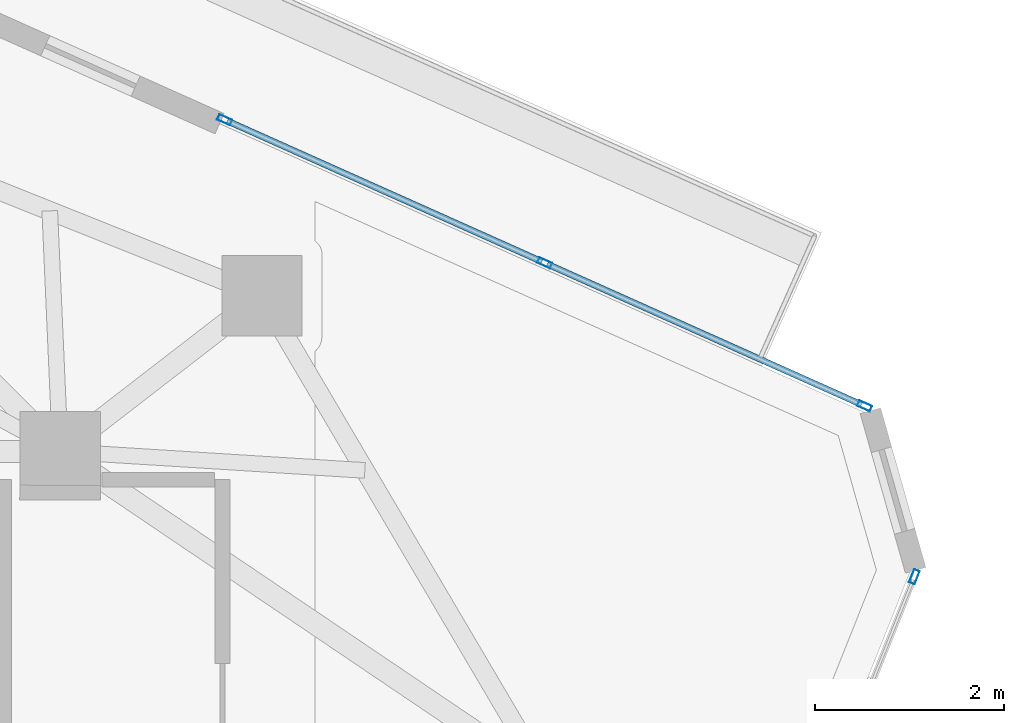
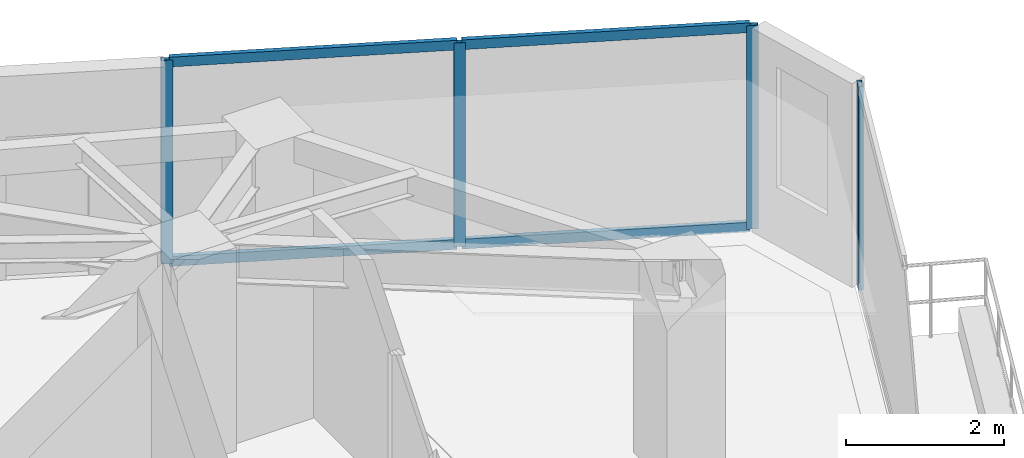
# One storey, part 14 of 21: 8 members, 2 elements without a shape of their own.
"""IFC4 building model written with IfcOpenShell, lengths in metres."""

from ifc_helpers import new_model, si_unit, direction, frame, origin, origin_2d, place, context, subcontext, project, spatial, hollow_rectangle, extrude, source, transform, mapped, material, layer, layer_set, material_profile, profile_set, type_object, type_shapes, element, aggregate, save


model = new_model("IFC4")

# Units and contexts
model_context = context("Model", 3, precision=1e-05, world=origin(), true_north=direction((0.0, 1.0)))
body_context = subcontext(model_context, "Body", "Model", "MODEL_VIEW")
ifc_project = project(units=[si_unit("LENGTHUNIT", "METRE"), si_unit("AREAUNIT", "SQUARE_METRE"), si_unit("VOLUMEUNIT", "CUBIC_METRE"), si_unit("PLANEANGLEUNIT", "RADIAN"), si_unit("MASSUNIT", "GRAM", prefix="KILO")], contexts=[model_context])

# Site, building, storey
site_placement = place(None, origin())
site = spatial("IfcSite", under=ifc_project, at=site_placement, CompositionType="ELEMENT")
building_placement = place(site_placement, origin())
building = spatial("IfcBuilding", under=site, at=building_placement, Name="Talar Marvaseh", CompositionType="ELEMENT")
storey_placement = place(building_placement, frame((0.0, 0.0, 271.39990234375)))
storey = spatial("IfcBuildingStorey", under=building, at=storey_placement, Name="L72", CompositionType="ELEMENT", Elevation=271.39990234375)

# Curtain wall, members
ifc_material = material(Name="Architectural Aluminium", Category="aluminium")
ifc_layer = layer(ifc_material, 0.179931640625)
ifc_layer_set = layer_set([ifc_layer], Name="Architectural Aluminium")
curtain_wall_type = type_object("IfcCurtainWallType", Name="Unitised High-Wind Sky Curtain Wall Z4", PredefinedType="NOTDEFINED", material=ifc_layer_set)
curtain_wall_1_placement = place(storey_placement, origin())
curtain_wall_1 = element("IfcCurtainWall", 1, at=curtain_wall_1_placement, inside=storey, type_object=curtain_wall_type, Name="L72 Unitised High-Wind Sky Curtain Wall Z4", PredefinedType="NOTDEFINED")
ifc_material_profile_1 = material_profile(ifc_material, hollow_rectangle(XDim=0.06494140625, YDim=0.14990234375, WallThickness=0.00390625, at=origin_2d()), Name="RHS150x65x4")
ifc_profile_set_1 = profile_set([ifc_material_profile_1], Name="Architectural Aluminium")
member_type_1 = type_object("IfcMemberType", Name="Unitised Curtain Wall Slim Mullion RHS150x65x4", PredefinedType="MULLION", material=ifc_profile_set_1)
shared_shape_1 = source(origin(), body_context, "Body", "SweptSolid", [
    extrude(hollow_rectangle(XDim=0.06494140625, YDim=0.14990234375, WallThickness=0.00390625, at=origin_2d()), origin(), (0.0, 0.0, 1.0), 3.14013671875),
])
type_shapes(member_type_1, [shared_shape_1])
member_1_placement = place(storey_placement, frame((35.04248046875, 40.417724609375, 0.0), z_axis=(0.0, 0.0, 1.0), x_axis=(0.408265471552, 0.912863245365, 0.0)))
member_1 = element("IfcMember", 2, at=member_1_placement, type_object=member_type_1, Name="CW-Z4 mullion 1", PredefinedType="MULLION", context=body_context, shape_type="MappedRepresentation", body=[
    mapped(shared_shape_1, transform((0.0, 0.0, 0.0), x_axis=(1.0, 0.0, 0.0), y_axis=(0.0, 1.0, 0.0), z_axis=(0.0, 0.0, 1.0), scale=1.0)),
])
member_2_placement = place(storey_placement, frame((38.435546875, 38.900146484375, 0.0), z_axis=(0.0, 0.0, 1.0), x_axis=(0.408265471552, 0.912863245365, 0.0)))
member_2 = element("IfcMember", 3, at=member_2_placement, type_object=member_type_1, Name="CW-Z4 mullion 2", PredefinedType="MULLION", context=body_context, shape_type="MappedRepresentation", body=[
    mapped(shared_shape_1, transform((0.0, 0.0, 0.0), x_axis=(1.0, 0.0, 0.0), y_axis=(0.0, 1.0, 0.0), z_axis=(0.0, 0.0, 1.0), scale=1.0)),
])
member_3_placement = place(storey_placement, frame((41.82861328125, 37.382568359375, 0.0), z_axis=(0.0, 0.0, 1.0), x_axis=(0.408265471552, 0.912863245365, 0.0)))
member_3 = element("IfcMember", 4, at=member_3_placement, type_object=member_type_1, Name="CW-Z4 mullion 3", PredefinedType="MULLION", context=body_context, shape_type="MappedRepresentation", body=[
    mapped(shared_shape_1, transform((0.0, 0.0, 0.0), x_axis=(1.0, 0.0, 0.0), y_axis=(0.0, 1.0, 0.0), z_axis=(0.0, 0.0, 1.0), scale=1.0)),
])

# Curtain wall, member
curtain_wall_2_placement = place(storey_placement, origin())
curtain_wall_2 = element("IfcCurtainWall", 5, at=curtain_wall_2_placement, inside=storey, type_object=curtain_wall_type, Name="L72 Unitised High-Wind Sky Curtain Wall Z4", PredefinedType="NOTDEFINED")
member_4_placement = place(storey_placement, frame((42.35693359375, 35.57080078125, 0.0), z_axis=(0.0, 0.0, 1.0), x_axis=(0.928753878354, -0.370696956344, 0.0)))
member_4 = element("IfcMember", 6, at=member_4_placement, type_object=member_type_1, Name="CW-Z4 mullion 1", PredefinedType="MULLION", context=body_context, shape_type="MappedRepresentation", body=[
    mapped(shared_shape_1, transform((0.0, 0.0, 0.0), x_axis=(1.0, 0.0, 0.0), y_axis=(0.0, 1.0, 0.0), z_axis=(0.0, 0.0, 1.0), scale=1.0)),
])
aggregate(curtain_wall_2, [member_4])

# Member
ifc_material_profile_2 = material_profile(ifc_material, hollow_rectangle(XDim=0.06494140625, YDim=0.14990234375, WallThickness=0.00390625, at=origin_2d()), Name="RHS150x65x4")
ifc_profile_set_2 = profile_set([ifc_material_profile_2], Name="Architectural Aluminium")
member_type_2 = type_object("IfcMemberType", Name="Unitised Curtain Wall Slim Transom RHS150x65x4", PredefinedType="USERDEFINED", material=ifc_profile_set_2)
shared_shape_2 = source(origin(), body_context, "Body", "SweptSolid", [
    extrude(hollow_rectangle(XDim=0.06494140625, YDim=0.14990234375, WallThickness=0.00390625, at=origin_2d()), origin(), (0.0, 0.0, 1.0), 3.652099609375),
])
member_5_placement = place(storey_placement, frame((35.072021484375, 40.404541015625, 0.03271484375), z_axis=(0.912874637651, -0.408239997959, 0.0), x_axis=(0.408239997959, 0.912874637651, 0.0)))
member_5 = element("IfcMember", 7, at=member_5_placement, type_object=member_type_2, Name="CW-Z4 transom 1.1", ObjectType="TRANSOM", PredefinedType="USERDEFINED", context=body_context, shape_type="MappedRepresentation", body=[
    mapped(shared_shape_2, transform((0.0, 0.0, 0.0), x_axis=(1.0, 0.0, 0.0), y_axis=(0.0, 1.0, 0.0), z_axis=(0.0, 0.0, 1.0), scale=1.0)),
])

member_6_placement = place(storey_placement, frame((35.072021484375, 40.404541015625, 3.107666015625), z_axis=(0.912874637651, -0.408239997959, 0.0), x_axis=(0.408239997959, 0.912874637651, 0.0)))
member_6 = element("IfcMember", 8, at=member_6_placement, type_object=member_type_2, Name="CW-Z4 transom 1.2", ObjectType="TRANSOM", PredefinedType="USERDEFINED", context=body_context, shape_type="MappedRepresentation", body=[
    mapped(shared_shape_2, transform((0.0, 0.0, 0.0), x_axis=(1.0, 0.0, 0.0), y_axis=(0.0, 1.0, 0.0), z_axis=(0.0, 0.0, 1.0), scale=1.0)),
])

shared_shape_3 = source(origin(), body_context, "Body", "SweptSolid", [
    extrude(hollow_rectangle(XDim=0.06494140625, YDim=0.14990234375, WallThickness=0.00390625, at=origin_2d()), origin(), (0.0, 0.0, 1.0), 3.65185546875),
])
type_shapes(member_type_2, [shared_shape_2, shared_shape_3])
member_7_placement = place(storey_placement, frame((38.46533203125, 38.886962890625, 0.03271484375), z_axis=(0.91286349577, -0.408264911657, 0.0), x_axis=(0.408264911657, 0.91286349577, 0.0)))
member_7 = element("IfcMember", 9, at=member_7_placement, type_object=member_type_2, Name="CW-Z4 transom 2.1", ObjectType="TRANSOM", PredefinedType="USERDEFINED", context=body_context, shape_type="MappedRepresentation", body=[
    mapped(shared_shape_3, transform((0.0, 0.0, 0.0), x_axis=(1.0, 0.0, 0.0), y_axis=(0.0, 1.0, 0.0), z_axis=(0.0, 0.0, 1.0), scale=1.0)),
])

member_8_placement = place(storey_placement, frame((38.46533203125, 38.886962890625, 3.107666015625), z_axis=(0.91286349577, -0.408264911657, 0.0), x_axis=(0.408264911657, 0.91286349577, 0.0)))
member_8 = element("IfcMember", 10, at=member_8_placement, type_object=member_type_2, Name="CW-Z4 transom 2.2", ObjectType="TRANSOM", PredefinedType="USERDEFINED", context=body_context, shape_type="MappedRepresentation", body=[
    mapped(shared_shape_3, transform((0.0, 0.0, 0.0), x_axis=(1.0, 0.0, 0.0), y_axis=(0.0, 1.0, 0.0), z_axis=(0.0, 0.0, 1.0), scale=1.0)),
])

aggregate(curtain_wall_1, [member_1, member_2, member_3, member_5, member_6, member_7, member_8])

save(model, "model.ifc")
